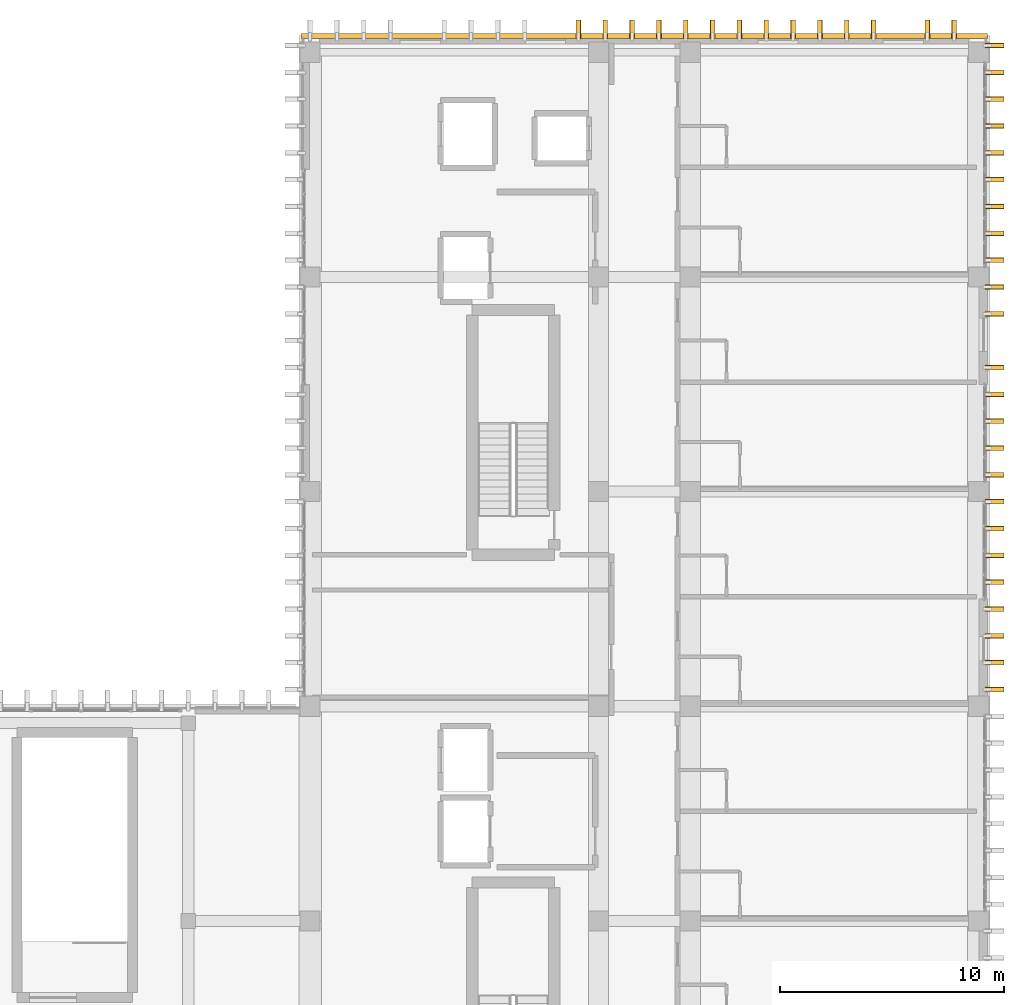
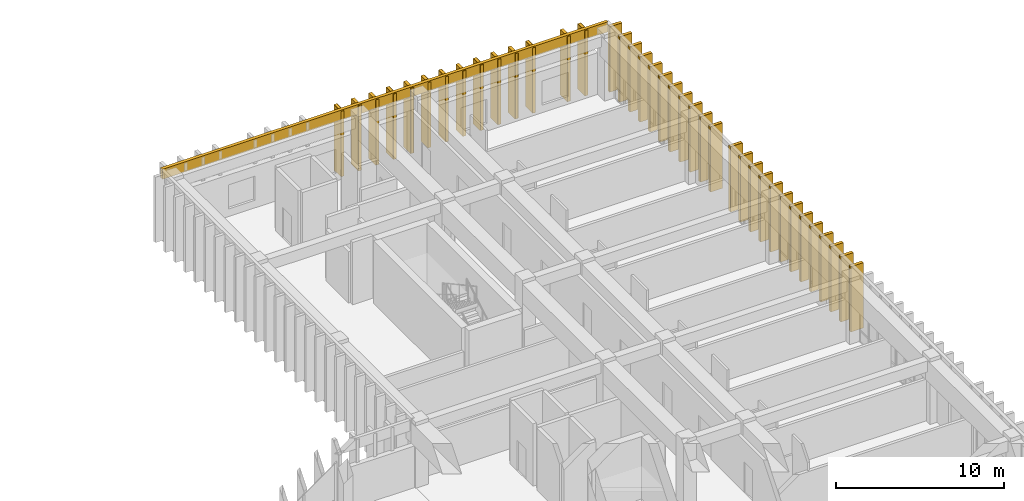
# One storey, part 101 of 101: 39 coverings, 38 shading devices.
"""IFC4 building model written with IfcOpenShell, lengths in metres."""

from ifc_helpers import new_model, si_unit, direction, frame, origin, origin_2d, place, context, subcontext, project, spatial, rectangle, extrude, material, layer, layer_set, type_object, element, save


model = new_model("IFC4")

# Units and contexts
model_context = context("Model", 3, precision=1e-05, world=origin(), true_north=direction((0.0, 1.0)))
body_context = subcontext(model_context, "Body", "Model", "MODEL_VIEW")
ifc_project = project(units=[si_unit("LENGTHUNIT", "METRE"), si_unit("AREAUNIT", "SQUARE_METRE"), si_unit("VOLUMEUNIT", "CUBIC_METRE"), si_unit("PLANEANGLEUNIT", "RADIAN"), si_unit("MASSUNIT", "GRAM", prefix="KILO")], contexts=[model_context])

# Site, building, storey
site_placement = place(None, origin())
site = spatial("IfcSite", under=ifc_project, at=site_placement, CompositionType="ELEMENT")
building_placement = place(site_placement, origin())
building = spatial("IfcBuilding", under=site, at=building_placement, Name="Nakhvara Creek Congress Hotel", CompositionType="ELEMENT")
storey_placement = place(building_placement, frame((0.0, 0.0, 16.199951171875)))
storey = spatial("IfcBuildingStorey", under=building, at=storey_placement, Name="L03", CompositionType="ELEMENT", Elevation=16.199951171875)

# Coverings
ifc_material_1 = material(Name="Honed pale Omani limestone architectural cladding", Category="masonry")
ifc_layer_1 = layer(ifc_material_1, 0.219970703125)
ifc_layer_set_1 = layer_set([ifc_layer_1], Name="Honed pale Omani limestone architectural cladding")
covering_type_1 = type_object("IfcCoveringType", Name="COV-FIN-850", PredefinedType="CLADDING", material=ifc_layer_set_1)
for number, where, z_axis, x_axis, name in (
    (1, (180.054931640625, 96.75, 0.0), (0.0, 0.0, 1.0), (0.0, 1.0, 0.0), "Pale Limestone Fin Cladding CF01-1106"),
    (2, (180.054931640625, 97.949951171875, 0.0), (0.0, 0.0, 1.0), (0.0, 1.0, 0.0), "Pale Limestone Fin Cladding CF01-1108"),
    (3, (180.054931640625, 99.14990234375, 0.0), (0.0, 0.0, 1.0), (0.0, 1.0, 0.0), "Pale Limestone Fin Cladding CF01-1110"),
    (4, (180.054931640625, 100.35009765625, 0.0), (0.0, 0.0, 1.0), (0.0, 1.0, 0.0), "Pale Limestone Fin Cladding CF01-1112"),
    (5, (180.054931640625, 101.550048828125, 0.0), (0.0, 0.0, 1.0), (0.0, 1.0, 0.0), "Pale Limestone Fin Cladding CF01-1114"),
    (6, (180.054931640625, 102.75, 0.0), (0.0, 0.0, 1.0), (0.0, 1.0, 0.0), "Pale Limestone Fin Cladding CF01-1116"),
    (7, (180.054931640625, 103.949951171875, 0.0), (0.0, 0.0, 1.0), (0.0, 1.0, 0.0), "Pale Limestone Fin Cladding CF01-1118"),
    (8, (180.054931640625, 105.14990234375, 0.0), (0.0, 0.0, 1.0), (0.0, 1.0, 0.0), "Pale Limestone Fin Cladding CF01-1120"),
    (9, (180.054931640625, 106.35009765625, 0.0), (0.0, 0.0, 1.0), (0.0, 1.0, 0.0), "Pale Limestone Fin Cladding CF01-1122"),
    (10, (180.054931640625, 107.550048828125, 0.0), (0.0, 0.0, 1.0), (0.0, 1.0, 0.0), "Pale Limestone Fin Cladding CF01-1124"),
    (11, (180.054931640625, 108.75, 0.0), (0.0, 0.0, 1.0), (0.0, 1.0, 0.0), "Pale Limestone Fin Cladding CF01-1126"),
    (12, (180.054931640625, 109.949951171875, 0.0), (0.0, 0.0, 1.0), (0.0, 1.0, 0.0), "Pale Limestone Fin Cladding CF01-1128"),
    (13, (180.054931640625, 111.14990234375, 0.0), (0.0, 0.0, 1.0), (0.0, 1.0, 0.0), "Pale Limestone Fin Cladding CF01-1130"),
    (14, (180.054931640625, 113.550048828125, 0.0), (0.0, 0.0, 1.0), (0.0, 1.0, 0.0), "Pale Limestone Fin Cladding CF01-1133"),
    (15, (180.054931640625, 114.75, 0.0), (0.0, 0.0, 1.0), (0.0, 1.0, 0.0), "Pale Limestone Fin Cladding CF01-1135"),
    (16, (180.054931640625, 115.949951171875, 0.0), (0.0, 0.0, 1.0), (0.0, 1.0, 0.0), "Pale Limestone Fin Cladding CF01-1137"),
    (17, (180.054931640625, 117.14990234375, 0.0), (0.0, 0.0, 1.0), (0.0, 1.0, 0.0), "Pale Limestone Fin Cladding CF01-1139"),
    (18, (180.054931640625, 118.35009765625, 0.0), (0.0, 0.0, 1.0), (0.0, 1.0, 0.0), "Pale Limestone Fin Cladding CF01-1141"),
    (19, (180.054931640625, 119.550048828125, 0.0), (0.0, 0.0, 1.0), (0.0, 1.0, 0.0), "Pale Limestone Fin Cladding CF01-1143"),
    (20, (180.054931640625, 120.75, 0.0), (0.0, 0.0, 1.0), (0.0, 1.0, 0.0), "Pale Limestone Fin Cladding CF01-1145"),
    (21, (180.054931640625, 121.949951171875, 0.0), (0.0, 0.0, 1.0), (0.0, 1.0, 0.0), "Pale Limestone Fin Cladding CF01-1147"),
    (22, (180.054931640625, 123.14990234375, 0.0), (0.0, 0.0, 1.0), (0.0, 1.0, 0.0), "Pale Limestone Fin Cladding CF01-1149"),
    (23, (180.054931640625, 124.35009765625, 0.0), (0.0, 0.0, 1.0), (0.0, 1.0, 0.0), "Pale Limestone Fin Cladding CF01-1151"),
    (24, (180.054931640625, 125.550048828125, 0.0), (0.0, 0.0, 1.0), (0.0, 1.0, 0.0), "Pale Limestone Fin Cladding CF01-1153"),
    (25, (161.449951171875, 126.264892578125, 0.0), (0.0, 0.0, 1.0), (1.0, 0.0, 0.0), "Pale Limestone Fin Cladding CF01-1173"),
    (26, (162.64990234375, 126.264892578125, 0.0), (0.0, 0.0, 1.0), (1.0, 0.0, 0.0), "Pale Limestone Fin Cladding CF01-1175"),
    (27, (163.85009765625, 126.264892578125, 0.0), (0.0, 0.0, 1.0), (1.0, 0.0, 0.0), "Pale Limestone Fin Cladding CF01-1177"),
    (28, (165.050048828125, 126.264892578125, 0.0), (0.0, 0.0, 1.0), (1.0, 0.0, 0.0), "Pale Limestone Fin Cladding CF01-1179"),
    (29, (166.25, 126.264892578125, 0.0), (0.0, 0.0, 1.0), (1.0, 0.0, 0.0), "Pale Limestone Fin Cladding CF01-1181"),
    (30, (167.449951171875, 126.264892578125, 0.0), (0.0, 0.0, 1.0), (1.0, 0.0, 0.0), "Pale Limestone Fin Cladding CF01-1183"),
    (31, (168.64990234375, 126.264892578125, 0.0), (0.0, 0.0, 1.0), (1.0, 0.0, 0.0), "Pale Limestone Fin Cladding CF01-1185"),
    (32, (169.85009765625, 126.264892578125, 0.0), (0.0, 0.0, 1.0), (1.0, 0.0, 0.0), "Pale Limestone Fin Cladding CF01-1186"),
    (33, (171.050048828125, 126.264892578125, 0.0), (0.0, 0.0, 1.0), (1.0, 0.0, 0.0), "Pale Limestone Fin Cladding CF01-1188"),
    (34, (172.25, 126.264892578125, 0.0), (0.0, 0.0, 1.0), (1.0, 0.0, 0.0), "Pale Limestone Fin Cladding CF01-1190"),
    (35, (173.449951171875, 126.264892578125, 0.0), (0.0, 0.0, 1.0), (1.0, 0.0, 0.0), "Pale Limestone Fin Cladding CF01-1192"),
    (36, (174.64990234375, 126.264892578125, 0.0), (0.0, 0.0, 1.0), (1.0, 0.0, 0.0), "Pale Limestone Fin Cladding CF01-1194"),
    (37, (177.050048828125, 126.264892578125, 0.0), (0.0, 0.0, 1.0), (1.0, 0.0, 0.0), "Pale Limestone Fin Cladding CF01-1197"),
    (38, (178.25, 126.264892578125, 0.0), (0.0, 0.0, 1.0), (1.0, 0.0, 0.0), "Pale Limestone Fin Cladding CF01-1199"),
):
    element("IfcCovering", number, at=place(storey_placement, frame(where, z_axis=z_axis, x_axis=x_axis)), inside=storey, type_object=covering_type_1, Name=name, PredefinedType="CLADDING", context=body_context, shape_type="SweptSolid", body=[
        extrude(rectangle(XDim=0.219970703125, YDim=0.85009765625, at=origin_2d()), origin(), (0.0, 0.0, 1.0), 4.760009765625),
    ])
ifc_layer_2 = layer(ifc_material_1, 0.179931640625)
ifc_layer_set_2 = layer_set([ifc_layer_2], Name="Honed pale Omani limestone architectural cladding")
covering_type_2 = type_object("IfcCoveringType", Name="COV-SPN-180", PredefinedType="CLADDING", material=ifc_layer_set_2)
covering_placement = place(storey_placement, frame((164.39990234375, 125.969970703125, 4.110107421875), z_axis=(0.0, 0.0, 1.0), x_axis=(1.0, 0.0, 0.0)))
element("IfcCovering", 39, at=covering_placement, inside=storey, type_object=covering_type_2, Name="Pale Limestone Spandrel Band CF02-0055", PredefinedType="CLADDING", context=body_context, shape_type="SweptSolid", body=[
    extrude(rectangle(XDim=30.699951171875, YDim=0.219970703125, at=origin_2d()), origin(), (0.0, 0.0, 1.0), 0.72998046875),
])

# Shading devices
ifc_material_2 = material(Name="Honed pale Omani limestone cladding on stainless steel spine", Category="masonry")
shading_device_type = type_object("IfcShadingDeviceType", Name="SHD-FIN-850X4700", PredefinedType="USERDEFINED", material=ifc_material_2)
for number, where, z_axis, x_axis, name in (
    (40, (180.054931640625, 96.75, 0.0), (0.0, 0.0, 1.0), (0.0, 1.0, 0.0), "Limestone Solar Fin FN02-0971"),
    (41, (180.054931640625, 97.949951171875, 0.0), (0.0, 0.0, 1.0), (0.0, 1.0, 0.0), "Limestone Solar Fin FN02-0973"),
    (42, (180.054931640625, 99.14990234375, 0.0), (0.0, 0.0, 1.0), (0.0, 1.0, 0.0), "Limestone Solar Fin FN02-0975"),
    (43, (180.054931640625, 100.35009765625, 0.0), (0.0, 0.0, 1.0), (0.0, 1.0, 0.0), "Limestone Solar Fin FN02-0977"),
    (44, (180.054931640625, 101.550048828125, 0.0), (0.0, 0.0, 1.0), (0.0, 1.0, 0.0), "Limestone Solar Fin FN02-0979"),
    (45, (180.054931640625, 102.75, 0.0), (0.0, 0.0, 1.0), (0.0, 1.0, 0.0), "Limestone Solar Fin FN02-0981"),
    (46, (180.054931640625, 103.949951171875, 0.0), (0.0, 0.0, 1.0), (0.0, 1.0, 0.0), "Limestone Solar Fin FN02-0983"),
    (47, (180.054931640625, 105.14990234375, 0.0), (0.0, 0.0, 1.0), (0.0, 1.0, 0.0), "Limestone Solar Fin FN02-0985"),
    (48, (180.054931640625, 106.35009765625, 0.0), (0.0, 0.0, 1.0), (0.0, 1.0, 0.0), "Limestone Solar Fin FN02-0987"),
    (49, (180.054931640625, 107.550048828125, 0.0), (0.0, 0.0, 1.0), (0.0, 1.0, 0.0), "Limestone Solar Fin FN02-0989"),
    (50, (180.054931640625, 108.75, 0.0), (0.0, 0.0, 1.0), (0.0, 1.0, 0.0), "Limestone Solar Fin FN02-0991"),
    (51, (180.054931640625, 109.949951171875, 0.0), (0.0, 0.0, 1.0), (0.0, 1.0, 0.0), "Limestone Solar Fin FN02-0993"),
    (52, (180.054931640625, 111.14990234375, 0.0), (0.0, 0.0, 1.0), (0.0, 1.0, 0.0), "Limestone Solar Fin FN02-0995"),
    (53, (180.054931640625, 113.550048828125, 0.0), (0.0, 0.0, 1.0), (0.0, 1.0, 0.0), "Limestone Solar Fin FN02-0998"),
    (54, (180.054931640625, 114.75, 0.0), (0.0, 0.0, 1.0), (0.0, 1.0, 0.0), "Limestone Solar Fin FN02-1000"),
    (55, (180.054931640625, 115.949951171875, 0.0), (0.0, 0.0, 1.0), (0.0, 1.0, 0.0), "Limestone Solar Fin FN02-1002"),
    (56, (180.054931640625, 117.14990234375, 0.0), (0.0, 0.0, 1.0), (0.0, 1.0, 0.0), "Limestone Solar Fin FN02-1004"),
    (57, (180.054931640625, 118.35009765625, 0.0), (0.0, 0.0, 1.0), (0.0, 1.0, 0.0), "Limestone Solar Fin FN02-1006"),
    (58, (180.054931640625, 119.550048828125, 0.0), (0.0, 0.0, 1.0), (0.0, 1.0, 0.0), "Limestone Solar Fin FN02-1008"),
    (59, (180.054931640625, 120.75, 0.0), (0.0, 0.0, 1.0), (0.0, 1.0, 0.0), "Limestone Solar Fin FN02-1010"),
    (60, (180.054931640625, 121.949951171875, 0.0), (0.0, 0.0, 1.0), (0.0, 1.0, 0.0), "Limestone Solar Fin FN02-1012"),
    (61, (180.054931640625, 123.14990234375, 0.0), (0.0, 0.0, 1.0), (0.0, 1.0, 0.0), "Limestone Solar Fin FN02-1014"),
    (62, (180.054931640625, 124.35009765625, 0.0), (0.0, 0.0, 1.0), (0.0, 1.0, 0.0), "Limestone Solar Fin FN02-1016"),
    (63, (180.054931640625, 125.550048828125, 0.0), (0.0, 0.0, 1.0), (0.0, 1.0, 0.0), "Limestone Solar Fin FN02-1018"),
    (64, (161.449951171875, 126.264892578125, 0.0), (0.0, 0.0, 1.0), (1.0, 0.0, 0.0), "Limestone Solar Fin FN02-1038"),
    (65, (162.64990234375, 126.264892578125, 0.0), (0.0, 0.0, 1.0), (1.0, 0.0, 0.0), "Limestone Solar Fin FN02-1040"),
    (66, (163.85009765625, 126.264892578125, 0.0), (0.0, 0.0, 1.0), (1.0, 0.0, 0.0), "Limestone Solar Fin FN02-1042"),
    (67, (165.050048828125, 126.264892578125, 0.0), (0.0, 0.0, 1.0), (1.0, 0.0, 0.0), "Limestone Solar Fin FN02-1044"),
    (68, (166.25, 126.264892578125, 0.0), (0.0, 0.0, 1.0), (1.0, 0.0, 0.0), "Limestone Solar Fin FN02-1046"),
    (69, (167.449951171875, 126.264892578125, 0.0), (0.0, 0.0, 1.0), (1.0, 0.0, 0.0), "Limestone Solar Fin FN02-1048"),
    (70, (168.64990234375, 126.264892578125, 0.0), (0.0, 0.0, 1.0), (1.0, 0.0, 0.0), "Limestone Solar Fin FN02-1050"),
    (71, (169.85009765625, 126.264892578125, 0.0), (0.0, 0.0, 1.0), (1.0, 0.0, 0.0), "Limestone Solar Fin FN02-1051"),
    (72, (171.050048828125, 126.264892578125, 0.0), (0.0, 0.0, 1.0), (1.0, 0.0, 0.0), "Limestone Solar Fin FN02-1053"),
    (73, (172.25, 126.264892578125, 0.0), (0.0, 0.0, 1.0), (1.0, 0.0, 0.0), "Limestone Solar Fin FN02-1055"),
    (74, (173.449951171875, 126.264892578125, 0.0), (0.0, 0.0, 1.0), (1.0, 0.0, 0.0), "Limestone Solar Fin FN02-1057"),
    (75, (174.64990234375, 126.264892578125, 0.0), (0.0, 0.0, 1.0), (1.0, 0.0, 0.0), "Limestone Solar Fin FN02-1059"),
    (76, (177.050048828125, 126.264892578125, 0.0), (0.0, 0.0, 1.0), (1.0, 0.0, 0.0), "Limestone Solar Fin FN02-1062"),
    (77, (178.25, 126.264892578125, 0.0), (0.0, 0.0, 1.0), (1.0, 0.0, 0.0), "Limestone Solar Fin FN02-1064"),
):
    element("IfcShadingDevice", number, at=place(storey_placement, frame(where, z_axis=z_axis, x_axis=x_axis)), inside=storey, type_object=shading_device_type, Name=name, ObjectType="FIN", PredefinedType="USERDEFINED", context=body_context, shape_type="SweptSolid", body=[
        extrude(rectangle(XDim=0.199951171875, YDim=0.85009765625, at=origin_2d()), origin(), (0.0, 0.0, 1.0), 4.760009765625),
    ])

save(model, "model.ifc")
